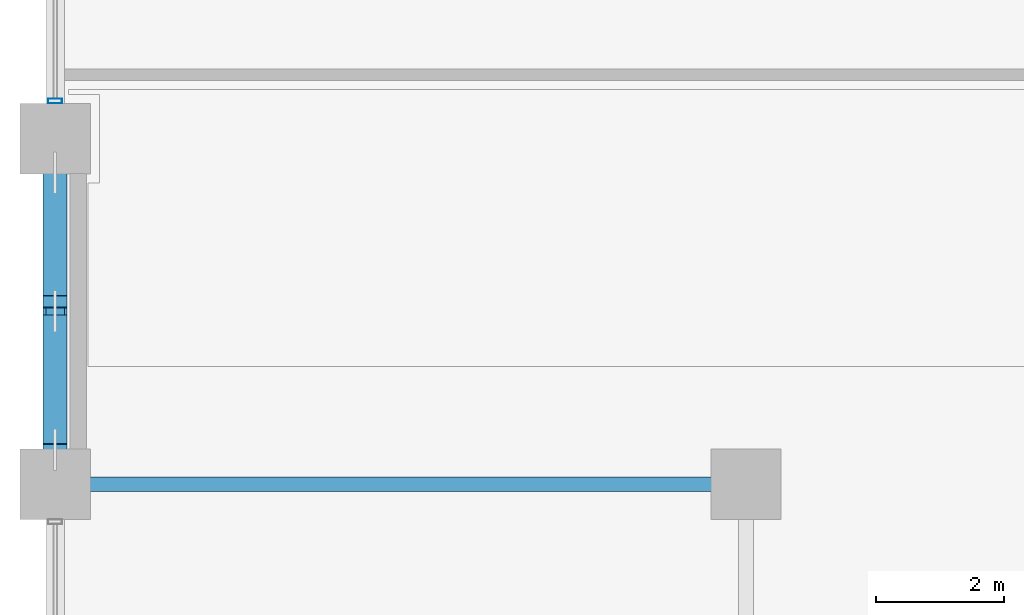
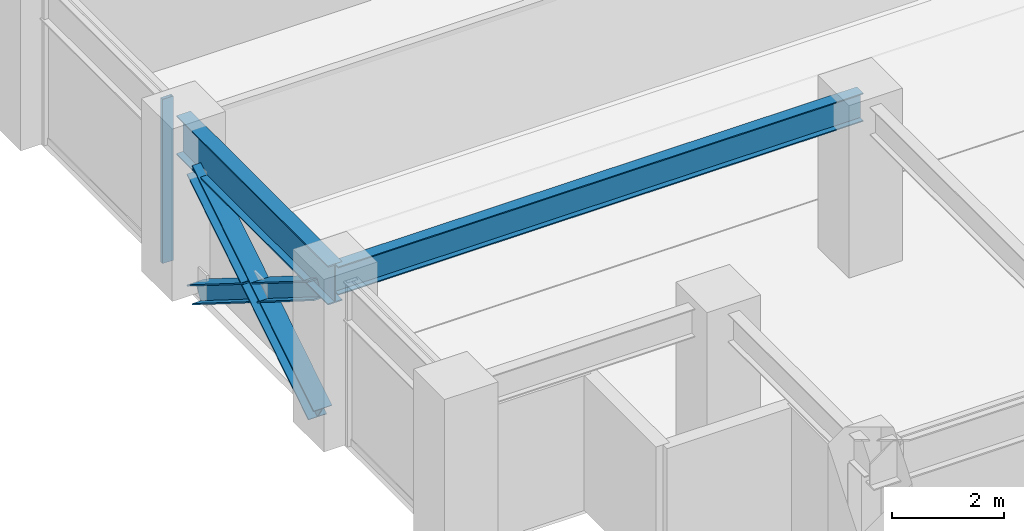
# One storey, part 3 of 25: 4 members, 2 beams, 1 element without a shape of its own.
"""IFC4 building model written with IfcOpenShell, lengths in metres."""

from ifc_helpers import new_model, si_unit, direction, frame, origin, origin_2d, place, context, subcontext, project, spatial, hollow_rectangle, i_section, extrude, material, layer, layer_set, material_profile, profile_set, type_object, element, aggregate, save


model = new_model("IFC4")

# Units and contexts
model_context = context("Model", 3, precision=1e-05, world=origin(), true_north=direction((0.0, 1.0)))
body_context = subcontext(model_context, "Body", "Model", "MODEL_VIEW")
ifc_project = project(units=[si_unit("LENGTHUNIT", "METRE"), si_unit("AREAUNIT", "SQUARE_METRE"), si_unit("VOLUMEUNIT", "CUBIC_METRE"), si_unit("PLANEANGLEUNIT", "RADIAN"), si_unit("MASSUNIT", "GRAM", prefix="KILO")], contexts=[model_context])

# Site, building, storey
site_placement = place(None, origin())
site = spatial("IfcSite", under=ifc_project, at=site_placement, CompositionType="ELEMENT")
building_placement = place(site_placement, origin())
building = spatial("IfcBuilding", under=site, at=building_placement, Name="Surkhivell Harbour Commons", CompositionType="ELEMENT")
storey_placement = place(building_placement, frame((0.0, 0.0, 109.5)))
storey = spatial("IfcBuildingStorey", under=building, at=storey_placement, Name="L28", CompositionType="ELEMENT", Elevation=109.5)

# Beams
ifc_material_1 = material(Name="Steel S355", Category="steel")
ifc_material_profile_1 = material_profile(ifc_material_1, i_section(OverallWidth=0.22998046875, OverallDepth=0.616943359375, WebThickness=0.01318359375, FlangeThickness=0.022216796875, at=origin_2d()), Name="UB610x229x140")
ifc_profile_set_1 = profile_set([ifc_material_profile_1], Name="Steel S355")
beam_type_1 = type_object("IfcBeamType", Name="BM-GRD-610B", PredefinedType="BEAM", material=ifc_profile_set_1)
beam_1_placement = place(storey_placement, frame((-32.39990234375, -16.199951171875, 3.261474609375), z_axis=(1.0, 0.0, 0.0), x_axis=(0.0, 1.0, 0.0)))
element("IfcBeam", 1, at=beam_1_placement, inside=storey, type_object=beam_type_1, Name="L28 Floor Girder (-32.4,-16.2)", PredefinedType="BEAM", context=body_context, shape_type="SweptSolid", body=[
    extrude(i_section(OverallWidth=0.22998046875, OverallDepth=0.616943359375, WebThickness=0.01318359375, FlangeThickness=0.022216796875, at=origin_2d()), origin(), (0.0, 0.0, 1.0), 10.7998046875),
])
ifc_material_2 = material(Name="Steel S460", Category="steel")
ifc_material_profile_2 = material_profile(ifc_material_2, i_section(OverallWidth=0.2939453125, OverallDepth=0.85107421875, WebThickness=0.01611328125, FlangeThickness=0.02685546875, at=origin_2d()), Name="UB838x292x226")
ifc_profile_set_2 = profile_set([ifc_material_profile_2], Name="Steel S460")
beam_type_2 = type_object("IfcBeamType", Name="BM-SPN-838", PredefinedType="SPANDREL", material=ifc_profile_set_2)
beam_2_placement = place(storey_placement, frame((-32.39990234375, -16.199951171875, 3.14453125), z_axis=(0.0, 1.0, 0.0), x_axis=(-1.0, 0.0, 0.0)))
element("IfcBeam", 2, at=beam_2_placement, inside=storey, type_object=beam_type_2, Name="L28 Tube Spandrel (-32.4,-16.2)", PredefinedType="SPANDREL", context=body_context, shape_type="SweptSolid", body=[
    extrude(i_section(OverallWidth=0.2939453125, OverallDepth=0.85107421875, WebThickness=0.01611328125, FlangeThickness=0.02685546875, at=origin_2d()), origin(), (0.0, 0.0, 1.0), 5.39990234375),
])

# Curtain wall, member
ifc_material_3 = material(Name="Anodised pale-metal aluminium and insulated glazing", Category="aluminium")
ifc_layer = layer(ifc_material_3, 0.205078125)
ifc_layer_set = layer_set([ifc_layer], Name="Anodised pale-metal aluminium and insulated glazing")
curtain_wall_type = type_object("IfcCurtainWallType", Name="CW-SYS-Z2", PredefinedType="NOTDEFINED", material=ifc_layer_set)
curtain_wall_placement = place(storey_placement, origin())
curtain_wall = element("IfcCurtainWall", 3, at=curtain_wall_placement, inside=storey, type_object=curtain_wall_type, Name="L28 Curtain Wall CW-L28-E12S1", PredefinedType="NOTDEFINED")
ifc_material_4 = material(Name="Anodised pale-metal aluminium alloy 6063-T6", Category="aluminium")
ifc_material_profile_3 = material_profile(ifc_material_4, hollow_rectangle(XDim=0.074951171875, YDim=0.219970703125, WallThickness=0.00390625, at=origin_2d()), Name="ALU-MULL-75x220")
ifc_profile_set_3 = profile_set([ifc_material_profile_3], Name="Anodised pale-metal aluminium alloy 6063-T6")
member_type_1 = type_object("IfcMemberType", Name="CWM-220", PredefinedType="MULLION", material=ifc_profile_set_3)
member_1_placement = place(storey_placement, frame((-32.39990234375, -10.21044921875, 0.0), z_axis=(0.0, 0.0, 1.0), x_axis=(0.0, -1.0, 0.0)))
member_1 = element("IfcMember", 4, at=member_1_placement, type_object=member_type_1, Name="CW-Z2 mullion 7", PredefinedType="MULLION", context=body_context, shape_type="SweptSolid", body=[
    extrude(hollow_rectangle(XDim=0.074951171875, YDim=0.219970703125, WallThickness=0.00390625, at=origin_2d()), origin(), (0.0, 0.0, 1.0), 3.570068359375),
])
aggregate(curtain_wall, [member_1])

# Members
ifc_material_profile_4 = material_profile(ifc_material_2, i_section(OverallWidth=0.375, OverallDepth=0.375, WebThickness=0.0166015625, FlangeThickness=0.027099609375, at=origin_2d()), Name="UC356x368x202")
ifc_profile_set_4 = profile_set([ifc_material_profile_4], Name="Steel S460")
member_type_2 = type_object("IfcMemberType", Name="MEM-BRC-UC356", PredefinedType="BRACE", material=ifc_profile_set_4)
member_2_placement = place(storey_placement, frame((-32.39990234375, -15.6650390625, 0.008056640625), z_axis=(0.0, 0.847246015888, 0.531200704594), x_axis=(-1.0, 0.0, 0.0)))
element("IfcMember", 5, at=member_2_placement, inside=storey, type_object=member_type_2, Name="L28 Perimeter Mega-Brace MB- 10", PredefinedType="BRACE", context=body_context, shape_type="SweptSolid", body=[
    extrude(i_section(OverallWidth=0.375, OverallDepth=0.375, WebThickness=0.0166015625, FlangeThickness=0.027099609375, at=origin_2d()), origin(), (0.0, 0.0, 1.0), 5.11083984375),
])
member_3_placement = place(storey_placement, frame((-32.39990234375, -11.3349609375, 0.008056640625), z_axis=(0.0, -0.847206308526, 0.53126403115), x_axis=(1.0, 0.0, 0.0)))
element("IfcMember", 6, at=member_3_placement, inside=storey, type_object=member_type_2, Name="L28 Perimeter Mega-Brace MB- 11", PredefinedType="BRACE", context=body_context, shape_type="SweptSolid", body=[
    extrude(i_section(OverallWidth=0.375, OverallDepth=0.375, WebThickness=0.0166015625, FlangeThickness=0.027099609375, at=origin_2d()), origin(), (0.0, 0.0, 1.0), 2.37548828125),
])
member_4_placement = place(storey_placement, frame((-32.39990234375, -13.652587890625, 1.461181640625), z_axis=(0.0, -0.84725256761, 0.53119025469), x_axis=(1.0, 0.0, 0.0)))
element("IfcMember", 7, at=member_4_placement, inside=storey, type_object=member_type_2, Name="L28 Perimeter Mega-Brace MB- 12", PredefinedType="BRACE", context=body_context, shape_type="SweptSolid", body=[
    extrude(i_section(OverallWidth=0.375, OverallDepth=0.375, WebThickness=0.0166015625, FlangeThickness=0.027099609375, at=origin_2d()), origin(), (0.0, 0.0, 1.0), 2.375244140625),
])

save(model, "model.ifc")
